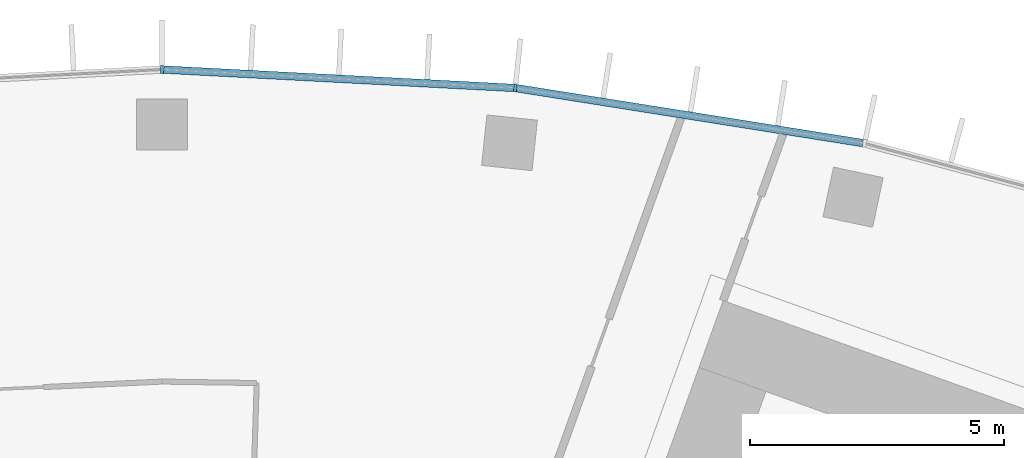
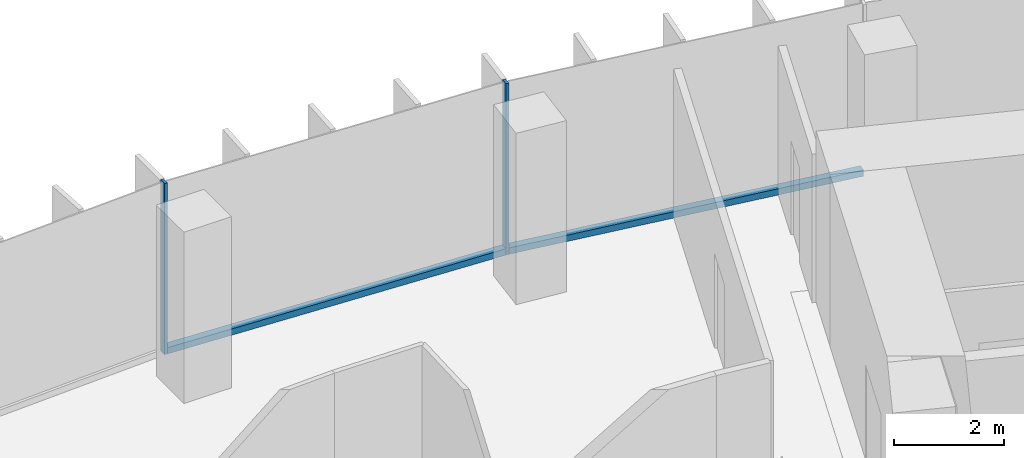
# One storey, part 8 of 21: 4 members, 1 element without a shape of its own.
"""IFC4 building model written with IfcOpenShell, lengths in metres."""

import ifcopenshell
import ifcopenshell.guid

model = None  # the IFC model being written
_history = None  # IfcOwnerHistory: only IFC2X3 demands one
_inside = {}  # id of a spatial element -> (the spatial element, [elements in it])
_under = {}  # id of a project, library or spatial element -> (it, [spatial elements below it])
_declared = {}  # id of a project -> (the project, [libraries it declares])
_typed = {}  # id of a type object -> (the type object, [elements of that type])
_made_of = {}  # id of a material, layer set ... -> (it, [elements and type objects made of it])


def new_model(schema):
    """Start an empty IFC model of exactly this schema.

    Asked for "IFC4X3", IfcOpenShell would pick the latest addendum, in which some entities
    have other attributes; the version numbers below select the first issue.
    IFC2X3 requires an IfcOwnerHistory on every rooted entity: one is made here for all.
    """
    global model, _history
    if schema == "IFC4X3":
        model = ifcopenshell.file(schema_version=(4, 3, 0, 0))
    else:
        model = ifcopenshell.file(schema=schema)
    _inside.clear()
    _under.clear()
    _declared.clear()
    _typed.clear()
    _made_of.clear()
    _history = None
    if model.schema == "IFC2X3":
        org = make("IfcOrganization", Name="unknown")
        user = make(
            "IfcPersonAndOrganization",
            ThePerson=make("IfcPerson", FamilyName="unknown"),
            TheOrganization=org,
        )
        app = make(
            "IfcApplication",
            ApplicationDeveloper=org,
            Version="unknown",
            ApplicationFullName="unknown",
            ApplicationIdentifier="unknown",
        )
        _history = make(
            "IfcOwnerHistory",
            OwningUser=user,
            OwningApplication=app,
            ChangeAction="ADDED",
            CreationDate=0,
        )
    return model


def make(cls, **values):
    """One entity of the class cls with the attributes given. An attribute that is None is left unset."""
    return model.create_entity(
        cls, **{name: value for name, value in values.items() if value is not None}
    )


def rooted(cls, **values):
    """An entity with a GlobalId (a new one), such as an element, a storey or a relation."""
    return make(cls, GlobalId=ifcopenshell.guid.new(), OwnerHistory=_history, **values)


def si_unit(unit_type, name, prefix=None):
    """IfcSIUnit, for example si_unit("LENGTHUNIT", "METRE", prefix="MILLI")."""
    return make("IfcSIUnit", UnitType=unit_type, Prefix=prefix, Name=name)


def assignment(units):
    """IfcUnitAssignment: the units of a project."""
    return None if units is None else make("IfcUnitAssignment", Units=units)


def point(xyz):
    """IfcCartesianPoint."""
    return None if xyz is None else make("IfcCartesianPoint", Coordinates=xyz)


def direction(xyz):
    """IfcDirection."""
    return None if xyz is None else make("IfcDirection", DirectionRatios=xyz)


def frame(location, z_axis=None, x_axis=None):
    """IfcAxis2Placement3D, a coordinate frame: its origin and axes. An axis left out is left unset."""
    return make(
        "IfcAxis2Placement3D",
        Location=point(location),
        Axis=direction(z_axis),
        RefDirection=direction(x_axis),
    )


def frame_2d(location, x_axis=None):
    """IfcAxis2Placement2D, a coordinate frame in the plane: its origin and x axis."""
    return make(
        "IfcAxis2Placement2D", Location=point(location), RefDirection=direction(x_axis)
    )


def origin():
    """The frame at (0, 0, 0) with its axes left unset."""
    return frame((0.0, 0.0, 0.0))


def origin_2d():
    """The frame at (0, 0) in the plane with its x axis left unset."""
    return frame_2d((0.0, 0.0))


def place(relative_to, where):
    """IfcLocalPlacement: puts the frame where relative to a parent placement (None: the world)."""
    return make(
        "IfcLocalPlacement", PlacementRelTo=relative_to, RelativePlacement=where
    )


def context(
    kind, dimensions, precision=None, world=None, true_north=None, identifier=None
):
    """IfcGeometricRepresentationContext, for example the 3D "Model" context."""
    return make(
        "IfcGeometricRepresentationContext",
        ContextIdentifier=identifier,
        ContextType=kind,
        CoordinateSpaceDimension=dimensions,
        Precision=precision,
        WorldCoordinateSystem=world,
        TrueNorth=true_north,
    )


def subcontext(parent, identifier, kind, view, scale=None):
    """IfcGeometricRepresentationSubContext, for example "Body" below "Model"."""
    return make(
        "IfcGeometricRepresentationSubContext",
        ContextIdentifier=identifier,
        ContextType=kind,
        ParentContext=parent,
        TargetScale=scale,
        TargetView=view,
    )


def project(units=None, contexts=None):
    """IfcProject with its units and contexts."""
    return rooted(
        "IfcProject",
        Name="project",
        RepresentationContexts=contexts,
        UnitsInContext=assignment(units),
    )


def spatial(cls, under=None, at=None, **own):
    """A site, building, storey or space (cls), placed at a placement, below another one or the project."""
    s = rooted(cls, ObjectPlacement=at, **own)
    if under is not None:
        _under.setdefault(under.id(), (under, []))[1].append(s)
    return s


def profile(cls, at=None, kind="AREA", **sizes):
    """A parametric profile (cls). Its sizes go by their IFC names, for example OverallWidth=200.0."""
    return make(cls, ProfileType=kind, Position=at, **sizes)


def rectangle(**sizes):
    """IfcRectangleProfileDef."""
    return profile("IfcRectangleProfileDef", **sizes)


def extrude(swept, where, along, depth):
    """IfcExtrudedAreaSolid: the profile swept, set in the frame where, extruded along a direction by depth."""
    return make(
        "IfcExtrudedAreaSolid",
        SweptArea=swept,
        Position=where,
        ExtrudedDirection=direction(along),
        Depth=depth,
    )


def shape(context_of_items, identifier, shape_type, items):
    """IfcShapeRepresentation: the items that make up one representation, for example the "Body"."""
    return make(
        "IfcShapeRepresentation",
        ContextOfItems=context_of_items,
        RepresentationIdentifier=identifier,
        RepresentationType=shape_type,
        Items=items,
    )


def material(Name=None, Category=None):
    """IfcMaterial."""
    return make("IfcMaterial", Name=Name, Category=Category)


def layer(
    of_material, thickness, ventilated=None, Name=None, Category=None, Priority=None
):
    """IfcMaterialLayer: one layer of a wall or slab, of a material (None: an air gap)."""
    return make(
        "IfcMaterialLayer",
        Material=of_material,
        LayerThickness=thickness,
        IsVentilated=ventilated,
        Name=Name,
        Category=Category,
        Priority=Priority,
    )


def layer_set(layers, Name=None):
    """IfcMaterialLayerSet."""
    return make("IfcMaterialLayerSet", MaterialLayers=layers, LayerSetName=Name)


def material_profile(
    of_material, cross_section, Name=None, Category=None, Priority=None
):
    """IfcMaterialProfile: a cross section and its material."""
    return make(
        "IfcMaterialProfile",
        Name=Name,
        Material=of_material,
        Profile=cross_section,
        Priority=Priority,
        Category=Category,
    )


def profile_set(profiles, Name=None, composite=None):
    """IfcMaterialProfileSet."""
    return make(
        "IfcMaterialProfileSet",
        Name=Name,
        MaterialProfiles=profiles,
        CompositeProfile=composite,
    )


def made_of(thing, what):
    """Note that an element or type object is made of a material, layer set ...; save() writes the relation."""
    if what is not None:
        _made_of.setdefault(what.id(), (what, []))[1].append(thing)
    return thing


def type_object(cls, material=None, **own):
    """A type object (cls), such as IfcWallType, which elements share."""
    return made_of(rooted(cls, **own), material)


def element(
    cls,
    number,
    at=None,
    inside=None,
    cuts=None,
    type_object=None,
    material=None,
    context=None,
    identifier="Body",
    shape_type=None,
    held_by="IfcProductDefinitionShape",
    body=None,
    shapes=None,
    **own,
):
    """One element of the class cls, such as IfcWall. Its Tag is "e" and its number.

    at: its placement. inside: the storey or other place that contains it. cuts: it is an
    opening in that element (IfcRelVoidsElement). A single representation is given by context,
    identifier, shape_type and body (its items); several are given by shapes. held_by: the class
    of the entity that holds the representations. save() writes the other relations.
    """
    e = rooted(cls, Tag="e%d" % number, ObjectPlacement=at, **own)
    if body is not None:
        shapes = [shape(context, identifier, shape_type, body)]
    if shapes is not None:
        e.Representation = make(held_by, Representations=shapes)
    if inside is not None:
        _inside.setdefault(inside.id(), (inside, []))[1].append(e)
    if cuts is not None:
        rooted(
            "IfcRelVoidsElement", RelatingBuildingElement=cuts, RelatedOpeningElement=e
        )
    if type_object is not None:
        _typed.setdefault(type_object.id(), (type_object, []))[1].append(e)
    return made_of(e, material)


def aggregate(whole, parts):
    """IfcRelAggregates: a whole, such as a stair, and the parts it consists of."""
    return rooted("IfcRelAggregates", RelatingObject=whole, RelatedObjects=parts)


def save(model, path):
    """Write the relations noted so far, then the file.

    IfcRelAggregates (storeys below a building ...), IfcRelContainedInSpatialStructure (elements
    in a storey), IfcRelDefinesByType, IfcRelAssociatesMaterial and IfcRelDeclares: one each for
    every whole, place, type object, material and project.
    """
    for whole, parts in _under.values():
        aggregate(whole, parts)
    for where, things in _inside.values():
        rooted(
            "IfcRelContainedInSpatialStructure",
            RelatedElements=things,
            RelatingStructure=where,
        )
    for kind, things in _typed.values():
        rooted("IfcRelDefinesByType", RelatedObjects=things, RelatingType=kind)
    for what, things in _made_of.values():
        rooted("IfcRelAssociatesMaterial", RelatedObjects=things, RelatingMaterial=what)
    for by, libraries in _declared.values():
        rooted("IfcRelDeclares", RelatingContext=by, RelatedDefinitions=libraries)
    model.write(path)


model = new_model("IFC4")

# Units and contexts
model_context = context("Model", 3, precision=1e-05, world=origin(), true_north=direction((0.0, 1.0)))
body_context = subcontext(model_context, "Body", "Model", "MODEL_VIEW")
ifc_project = project(units=[si_unit("LENGTHUNIT", "METRE"), si_unit("AREAUNIT", "SQUARE_METRE"), si_unit("VOLUMEUNIT", "CUBIC_METRE"), si_unit("PLANEANGLEUNIT", "RADIAN"), si_unit("MASSUNIT", "GRAM", prefix="KILO")], contexts=[model_context])

# Site, building, storey
site_placement = place(None, origin())
site = spatial("IfcSite", under=ifc_project, at=site_placement, CompositionType="ELEMENT")
building_placement = place(site_placement, origin())
building = spatial("IfcBuilding", under=site, at=building_placement, Name="Stone Belt Terrace Tower", CompositionType="ELEMENT")
storey_placement = place(building_placement, frame((0.0, 0.0, 189.60009765625)))
storey = spatial("IfcBuildingStorey", under=building, at=storey_placement, Name="L46", CompositionType="ELEMENT", Elevation=189.60009765625)

# Curtain wall, members
ifc_material = material(Name="Aluminium 6063-T6 anodised frame", Category="aluminium")
ifc_layer = layer(ifc_material, 0.14990234375)
ifc_layer_set = layer_set([ifc_layer], Name="CW-A unitised convex-face curtain wall")
curtain_wall_type = type_object("IfcCurtainWallType", Name="CW-A unitised convex-face curtain wall", PredefinedType="NOTDEFINED", material=ifc_layer_set)
curtain_wall_placement = place(storey_placement, origin())
curtain_wall = element("IfcCurtainWall", 1, at=curtain_wall_placement, inside=storey, type_object=curtain_wall_type, Name="CW-A convex face L46", PredefinedType="NOTDEFINED")
ifc_material_profile_1 = material_profile(ifc_material, rectangle(XDim=0.14990234375, YDim=0.06005859375, at=origin_2d()), Name="Aluminium 6063-T6 60x150")
ifc_profile_set_1 = profile_set([ifc_material_profile_1], Name="Aluminium 6063-T6 anodised frame")
member_type_1 = type_object("IfcMemberType", Name="CW-A mullion 60 x 150", PredefinedType="MULLION", material=ifc_profile_set_1)
member_1_placement = place(storey_placement, frame((6.958984375, 66.21044921875, 0.0), z_axis=(0.0, 0.0, 1.0), x_axis=(-0.104528463268, -0.994521895368, 0.0)))
member_1 = element("IfcMember", 2, at=member_1_placement, type_object=member_type_1, Name="CW-A mullion 7", PredefinedType="MULLION", context=body_context, shape_type="SweptSolid", body=[
    extrude(rectangle(XDim=0.14990234375, YDim=0.06005859375, at=origin_2d()), origin(), (0.0, 0.0, 1.0), 3.7998046875),
])
member_2_placement = place(storey_placement, frame((0.0, 66.5751953125, 0.0), z_axis=(0.0, 0.0, 1.0), x_axis=(0.0, -1.0, 0.0)))
member_2 = element("IfcMember", 3, at=member_2_placement, type_object=member_type_1, Name="CW-A mullion 8", PredefinedType="MULLION", context=body_context, shape_type="SweptSolid", body=[
    extrude(rectangle(XDim=0.14990234375, YDim=0.06005859375, at=origin_2d()), origin(), (0.0, 0.0, 1.0), 3.7998046875),
])
ifc_material_profile_2 = material_profile(ifc_material, rectangle(XDim=0.14990234375, YDim=0.139892578125, at=origin_2d()), Name="Aluminium 6063-T6 150x140")
ifc_profile_set_2 = profile_set([ifc_material_profile_2], Name="Aluminium 6063-T6 anodised frame")
member_type_2 = type_object("IfcMemberType", Name="CW-A transom 140 x 150", PredefinedType="USERDEFINED", material=ifc_profile_set_2)
member_3_placement = place(storey_placement, frame((13.808349609375, 65.12548828125, 0.06982421875), z_axis=(-0.987687120531, 0.156442168027, 0.0), x_axis=(-0.156442168027, -0.987687120531, 0.0)))
member_3 = element("IfcMember", 4, at=member_3_placement, type_object=member_type_2, Name="CW-A transom 6.1", ObjectType="TRANSOM", PredefinedType="USERDEFINED", context=body_context, shape_type="SweptSolid", body=[
    extrude(rectangle(XDim=0.14990234375, YDim=0.139892578125, at=origin_2d()), origin(), (0.0, 0.0, 1.0), 6.90087890625),
])
member_4_placement = place(storey_placement, frame((6.925048828125, 66.212158203125, 0.06982421875), z_axis=(-0.998630019135, 0.052326712899, 0.0), x_axis=(-0.052326712899, -0.998630019135, 0.0)))
member_4 = element("IfcMember", 5, at=member_4_placement, type_object=member_type_2, Name="CW-A transom 7.1", ObjectType="TRANSOM", PredefinedType="USERDEFINED", context=body_context, shape_type="SweptSolid", body=[
    extrude(rectangle(XDim=0.14990234375, YDim=0.139892578125, at=origin_2d()), origin(), (0.0, 0.0, 1.0), 6.900634765625),
])
aggregate(curtain_wall, [member_1, member_2, member_3, member_4])

save(model, "model.ifc")
